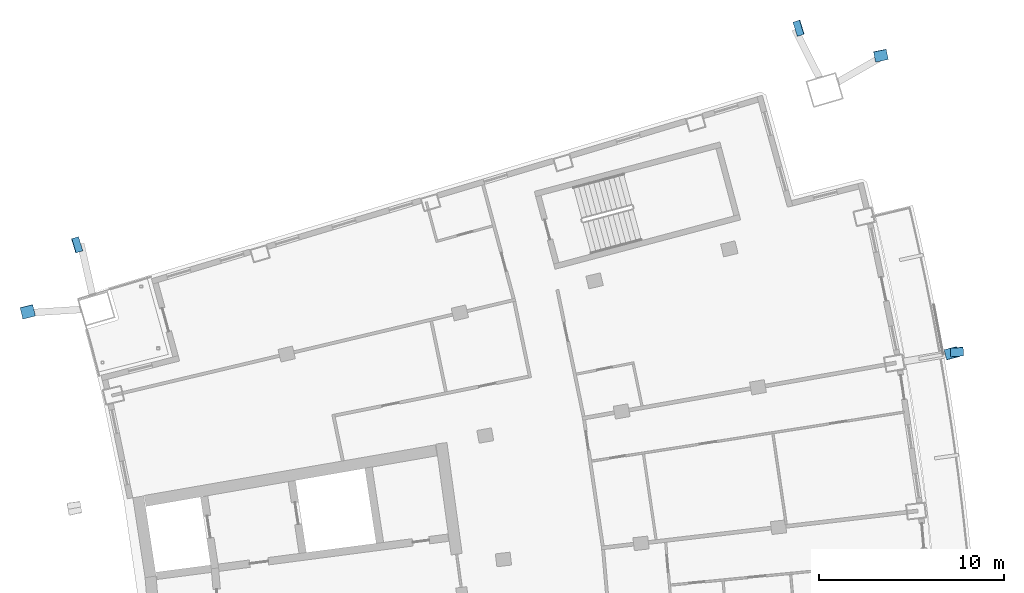
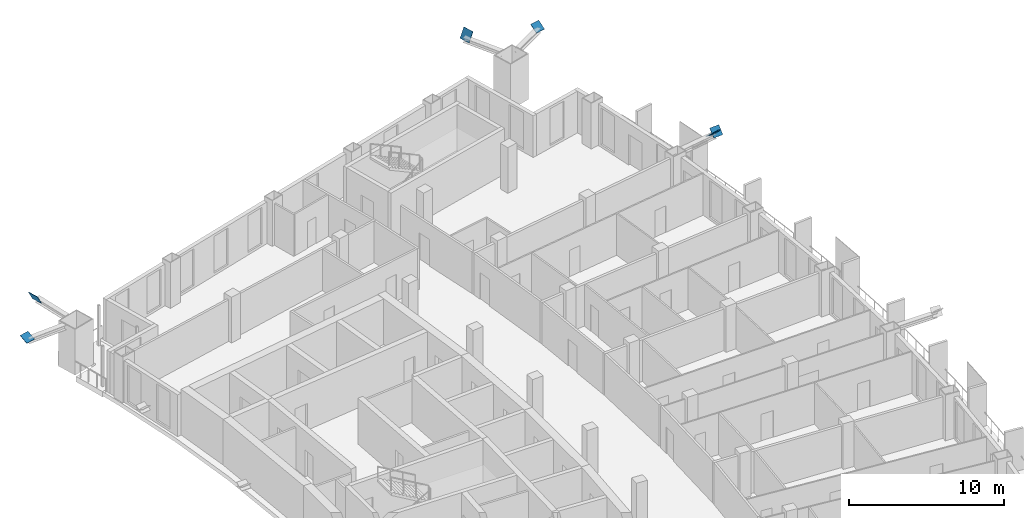
# One storey, part 18 of 21: 6 discrete accessories.
"""IFC4 building model written with IfcOpenShell, lengths in metres."""

import ifcopenshell
import ifcopenshell.guid

model = None  # the IFC model being written
_history = None  # IfcOwnerHistory: only IFC2X3 demands one
_inside = {}  # id of a spatial element -> (the spatial element, [elements in it])
_under = {}  # id of a project, library or spatial element -> (it, [spatial elements below it])
_declared = {}  # id of a project -> (the project, [libraries it declares])
_typed = {}  # id of a type object -> (the type object, [elements of that type])
_made_of = {}  # id of a material, layer set ... -> (it, [elements and type objects made of it])


def new_model(schema):
    """Start an empty IFC model of exactly this schema.

    Asked for "IFC4X3", IfcOpenShell would pick the latest addendum, in which some entities
    have other attributes; the version numbers below select the first issue.
    IFC2X3 requires an IfcOwnerHistory on every rooted entity: one is made here for all.
    """
    global model, _history
    if schema == "IFC4X3":
        model = ifcopenshell.file(schema_version=(4, 3, 0, 0))
    else:
        model = ifcopenshell.file(schema=schema)
    _inside.clear()
    _under.clear()
    _declared.clear()
    _typed.clear()
    _made_of.clear()
    _history = None
    if model.schema == "IFC2X3":
        org = make("IfcOrganization", Name="unknown")
        user = make(
            "IfcPersonAndOrganization",
            ThePerson=make("IfcPerson", FamilyName="unknown"),
            TheOrganization=org,
        )
        app = make(
            "IfcApplication",
            ApplicationDeveloper=org,
            Version="unknown",
            ApplicationFullName="unknown",
            ApplicationIdentifier="unknown",
        )
        _history = make(
            "IfcOwnerHistory",
            OwningUser=user,
            OwningApplication=app,
            ChangeAction="ADDED",
            CreationDate=0,
        )
    return model


def make(cls, **values):
    """One entity of the class cls with the attributes given. An attribute that is None is left unset."""
    return model.create_entity(
        cls, **{name: value for name, value in values.items() if value is not None}
    )


def rooted(cls, **values):
    """An entity with a GlobalId (a new one), such as an element, a storey or a relation."""
    return make(cls, GlobalId=ifcopenshell.guid.new(), OwnerHistory=_history, **values)


def si_unit(unit_type, name, prefix=None):
    """IfcSIUnit, for example si_unit("LENGTHUNIT", "METRE", prefix="MILLI")."""
    return make("IfcSIUnit", UnitType=unit_type, Prefix=prefix, Name=name)


def assignment(units):
    """IfcUnitAssignment: the units of a project."""
    return None if units is None else make("IfcUnitAssignment", Units=units)


def point(xyz):
    """IfcCartesianPoint."""
    return None if xyz is None else make("IfcCartesianPoint", Coordinates=xyz)


def direction(xyz):
    """IfcDirection."""
    return None if xyz is None else make("IfcDirection", DirectionRatios=xyz)


def frame(location, z_axis=None, x_axis=None):
    """IfcAxis2Placement3D, a coordinate frame: its origin and axes. An axis left out is left unset."""
    return make(
        "IfcAxis2Placement3D",
        Location=point(location),
        Axis=direction(z_axis),
        RefDirection=direction(x_axis),
    )


def frame_2d(location, x_axis=None):
    """IfcAxis2Placement2D, a coordinate frame in the plane: its origin and x axis."""
    return make(
        "IfcAxis2Placement2D", Location=point(location), RefDirection=direction(x_axis)
    )


def origin():
    """The frame at (0, 0, 0) with its axes left unset."""
    return frame((0.0, 0.0, 0.0))


def origin_2d():
    """The frame at (0, 0) in the plane with its x axis left unset."""
    return frame_2d((0.0, 0.0))


def place(relative_to, where):
    """IfcLocalPlacement: puts the frame where relative to a parent placement (None: the world)."""
    return make(
        "IfcLocalPlacement", PlacementRelTo=relative_to, RelativePlacement=where
    )


def context(
    kind, dimensions, precision=None, world=None, true_north=None, identifier=None
):
    """IfcGeometricRepresentationContext, for example the 3D "Model" context."""
    return make(
        "IfcGeometricRepresentationContext",
        ContextIdentifier=identifier,
        ContextType=kind,
        CoordinateSpaceDimension=dimensions,
        Precision=precision,
        WorldCoordinateSystem=world,
        TrueNorth=true_north,
    )


def subcontext(parent, identifier, kind, view, scale=None):
    """IfcGeometricRepresentationSubContext, for example "Body" below "Model"."""
    return make(
        "IfcGeometricRepresentationSubContext",
        ContextIdentifier=identifier,
        ContextType=kind,
        ParentContext=parent,
        TargetScale=scale,
        TargetView=view,
    )


def project(units=None, contexts=None):
    """IfcProject with its units and contexts."""
    return rooted(
        "IfcProject",
        Name="project",
        RepresentationContexts=contexts,
        UnitsInContext=assignment(units),
    )


def spatial(cls, under=None, at=None, **own):
    """A site, building, storey or space (cls), placed at a placement, below another one or the project."""
    s = rooted(cls, ObjectPlacement=at, **own)
    if under is not None:
        _under.setdefault(under.id(), (under, []))[1].append(s)
    return s


def profile(cls, at=None, kind="AREA", **sizes):
    """A parametric profile (cls). Its sizes go by their IFC names, for example OverallWidth=200.0."""
    return make(cls, ProfileType=kind, Position=at, **sizes)


def rectangle(**sizes):
    """IfcRectangleProfileDef."""
    return profile("IfcRectangleProfileDef", **sizes)


def extrude(swept, where, along, depth):
    """IfcExtrudedAreaSolid: the profile swept, set in the frame where, extruded along a direction by depth."""
    return make(
        "IfcExtrudedAreaSolid",
        SweptArea=swept,
        Position=where,
        ExtrudedDirection=direction(along),
        Depth=depth,
    )


def shape(context_of_items, identifier, shape_type, items):
    """IfcShapeRepresentation: the items that make up one representation, for example the "Body"."""
    return make(
        "IfcShapeRepresentation",
        ContextOfItems=context_of_items,
        RepresentationIdentifier=identifier,
        RepresentationType=shape_type,
        Items=items,
    )


def material(Name=None, Category=None):
    """IfcMaterial."""
    return make("IfcMaterial", Name=Name, Category=Category)


def material_profile(
    of_material, cross_section, Name=None, Category=None, Priority=None
):
    """IfcMaterialProfile: a cross section and its material."""
    return make(
        "IfcMaterialProfile",
        Name=Name,
        Material=of_material,
        Profile=cross_section,
        Priority=Priority,
        Category=Category,
    )


def profile_set(profiles, Name=None, composite=None):
    """IfcMaterialProfileSet."""
    return make(
        "IfcMaterialProfileSet",
        Name=Name,
        MaterialProfiles=profiles,
        CompositeProfile=composite,
    )


def made_of(thing, what):
    """Note that an element or type object is made of a material, layer set ...; save() writes the relation."""
    if what is not None:
        _made_of.setdefault(what.id(), (what, []))[1].append(thing)
    return thing


def type_object(cls, material=None, **own):
    """A type object (cls), such as IfcWallType, which elements share."""
    return made_of(rooted(cls, **own), material)


def element(
    cls,
    number,
    at=None,
    inside=None,
    cuts=None,
    type_object=None,
    material=None,
    context=None,
    identifier="Body",
    shape_type=None,
    held_by="IfcProductDefinitionShape",
    body=None,
    shapes=None,
    **own,
):
    """One element of the class cls, such as IfcWall. Its Tag is "e" and its number.

    at: its placement. inside: the storey or other place that contains it. cuts: it is an
    opening in that element (IfcRelVoidsElement). A single representation is given by context,
    identifier, shape_type and body (its items); several are given by shapes. held_by: the class
    of the entity that holds the representations. save() writes the other relations.
    """
    e = rooted(cls, Tag="e%d" % number, ObjectPlacement=at, **own)
    if body is not None:
        shapes = [shape(context, identifier, shape_type, body)]
    if shapes is not None:
        e.Representation = make(held_by, Representations=shapes)
    if inside is not None:
        _inside.setdefault(inside.id(), (inside, []))[1].append(e)
    if cuts is not None:
        rooted(
            "IfcRelVoidsElement", RelatingBuildingElement=cuts, RelatedOpeningElement=e
        )
    if type_object is not None:
        _typed.setdefault(type_object.id(), (type_object, []))[1].append(e)
    return made_of(e, material)


def aggregate(whole, parts):
    """IfcRelAggregates: a whole, such as a stair, and the parts it consists of."""
    return rooted("IfcRelAggregates", RelatingObject=whole, RelatedObjects=parts)


def save(model, path):
    """Write the relations noted so far, then the file.

    IfcRelAggregates (storeys below a building ...), IfcRelContainedInSpatialStructure (elements
    in a storey), IfcRelDefinesByType, IfcRelAssociatesMaterial and IfcRelDeclares: one each for
    every whole, place, type object, material and project.
    """
    for whole, parts in _under.values():
        aggregate(whole, parts)
    for where, things in _inside.values():
        rooted(
            "IfcRelContainedInSpatialStructure",
            RelatedElements=things,
            RelatingStructure=where,
        )
    for kind, things in _typed.values():
        rooted("IfcRelDefinesByType", RelatedObjects=things, RelatingType=kind)
    for what, things in _made_of.values():
        rooted("IfcRelAssociatesMaterial", RelatedObjects=things, RelatingMaterial=what)
    for by, libraries in _declared.values():
        rooted("IfcRelDeclares", RelatingContext=by, RelatedDefinitions=libraries)
    model.write(path)


model = new_model("IFC4")

# Units and contexts
model_context = context("Model", 3, precision=1e-05, world=origin(), true_north=direction((0.0, 1.0)))
body_context = subcontext(model_context, "Body", "Model", "MODEL_VIEW")
ifc_project = project(units=[si_unit("LENGTHUNIT", "METRE"), si_unit("AREAUNIT", "SQUARE_METRE"), si_unit("VOLUMEUNIT", "CUBIC_METRE"), si_unit("PLANEANGLEUNIT", "RADIAN"), si_unit("MASSUNIT", "GRAM", prefix="KILO")], contexts=[model_context])

# Site, building, storey
site_placement = place(None, origin())
site = spatial("IfcSite", under=ifc_project, at=site_placement, CompositionType="ELEMENT")
building_placement = place(site_placement, origin())
building = spatial("IfcBuilding", under=site, at=building_placement, Name="Alderwake Tower", CompositionType="ELEMENT")
storey_placement = place(building_placement, frame((0.0, 0.0, 207.199951171875)))
storey = spatial("IfcBuildingStorey", under=building, at=storey_placement, Name="L51", CompositionType="ELEMENT", Elevation=207.199951171875)

# Discrete accessories
ifc_material_1 = material(Name="Steel ASTM A572 Grade 50", Category="steel")
ifc_material_profile_1 = material_profile(ifc_material_1, rectangle(XDim=0.699951171875, YDim=0.699951171875, at=origin_2d()), Name="BOX 700X700X45 cap")
ifc_profile_set_1 = profile_set([ifc_material_profile_1], Name="Steel ASTM A572 Grade 50")
discrete_accessory_type_1 = type_object("IfcDiscreteAccessoryType", Name="End cap plate BOX 700X700X45", PredefinedType="USERDEFINED", material=ifc_profile_set_1)
for number, where, z_axis, x_axis, name in (
    (1, (59.466552734375, 85.658935546875, 3.60009765625), (-0.048890485065, 0.749654104333, -0.66002154838), (-0.997880105966, -0.065079137346, 0.0), "End cap BRF4.2.7B1 S"),
    (2, (59.1767578125, 85.607666015625, 3.60009765625), (0.154369542892, -0.584979320433, -0.796221852811), (0.966900358349, 0.255154261231, 0.0), "End cap BRF4.2.10A S"),
    (3, (55.3662109375, 101.640869140625, 3.60009765625), (-0.121834506274, 0.592927930535, -0.795985440993), (-0.979534918634, -0.20127429835, 0.0), "End cap BRF4.2.10B1 S"),
    (4, (9.359619140625, 87.828369140625, 3.60009765625), (-0.105869651339, 0.43162242469, -0.895820126716), (-0.971210844098, -0.238221527798, 0.0), "End cap BRR4.2.10B1 S"),
):
    element("IfcDiscreteAccessory", number, at=place(storey_placement, frame(where, z_axis=z_axis, x_axis=x_axis)), inside=storey, type_object=discrete_accessory_type_1, Name=name, ObjectType="END CAP", PredefinedType="USERDEFINED", context=body_context, shape_type="SweptSolid", body=[
        extrude(rectangle(XDim=0.699951171875, YDim=0.699951171875, at=origin_2d()), origin(), (0.0, 0.0, 1.0), 0.030029296875),
    ])
ifc_material_2 = material(Name="Steel ASTM A572 Grade 50", Category="steel")
ifc_material_profile_2 = material_profile(ifc_material_2, rectangle(XDim=0.800048828125, YDim=0.800048828125, at=origin_2d()), Name="BOX 800X800X50 cap")
ifc_profile_set_2 = profile_set([ifc_material_profile_2], Name="Steel ASTM A572 Grade 50")
discrete_accessory_type_2 = type_object("IfcDiscreteAccessoryType", Name="End cap plate BOX 800X800X50", PredefinedType="USERDEFINED", material=ifc_profile_set_2)
discrete_accessory_1_placement = place(storey_placement, frame((12.031005859375, 91.449462890625, 3.60009765625), z_axis=(-0.84284778768, -0.253672635127, -0.474613317334), x_axis=(0.288200688743, -0.957570030341, 0.0)))
element("IfcDiscreteAccessory", 5, at=discrete_accessory_1_placement, inside=storey, type_object=discrete_accessory_type_2, Name="End cap BRN4.2.0A S", ObjectType="END CAP", PredefinedType="USERDEFINED", context=body_context, shape_type="SweptSolid", body=[
    extrude(rectangle(XDim=0.800048828125, YDim=0.800048828125, at=origin_2d()), origin(), (0.0, 0.0, 1.0), 0.02978515625),
])
discrete_accessory_2_placement = place(storey_placement, frame((50.91650390625, 103.123779296875, 3.60009765625), z_axis=(0.843440418178, 0.25952012867, -0.470380233215), x_axis=(-0.294085848838, 0.955779008722, 0.0)))
element("IfcDiscreteAccessory", 6, at=discrete_accessory_2_placement, inside=storey, type_object=discrete_accessory_type_2, Name="End cap BRN4.2.0B1 S", ObjectType="END CAP", PredefinedType="USERDEFINED", context=body_context, shape_type="SweptSolid", body=[
    extrude(rectangle(XDim=0.800048828125, YDim=0.800048828125, at=origin_2d()), origin(), (0.0, 0.0, 1.0), 0.030029296875),
])

save(model, "model.ifc")
